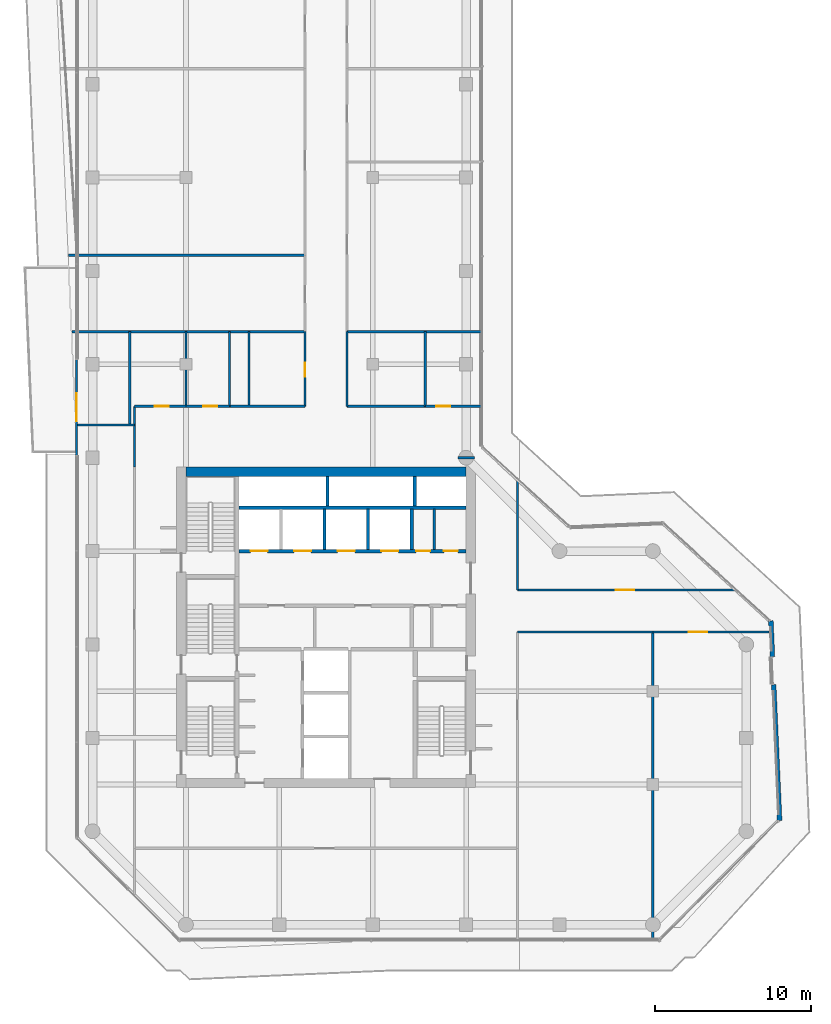
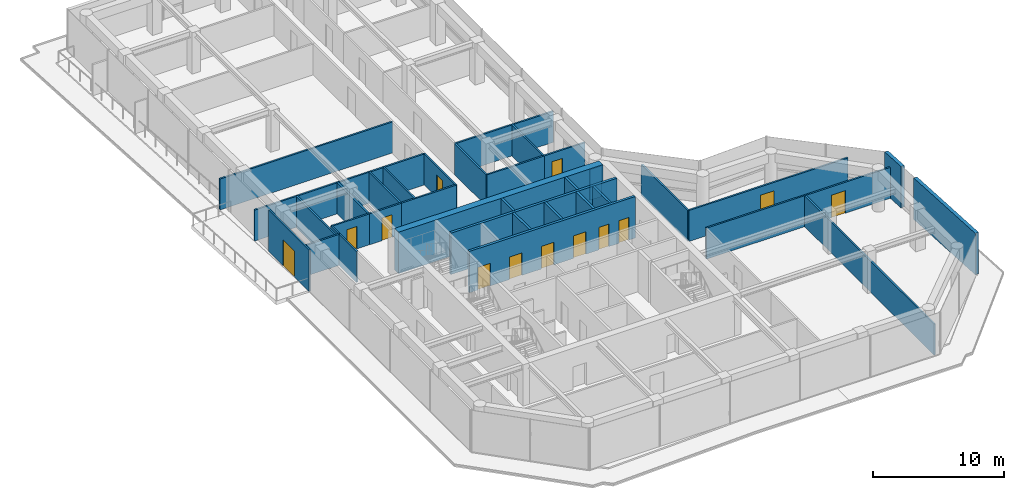
# One storey, part 18 of 21: 35 walls, 13 doors, 13 openings.
"""IFC4 building model written with IfcOpenShell, lengths in metres."""

from ifc_helpers import new_model, si_unit, direction, frame, frame_2d, origin, place, context, subcontext, project, spatial, rectangle, extrude, material, layer, layer_set, type_object, element, fill, save


model = new_model("IFC4")

# Units and contexts
model_context = context("Model", 3, precision=1e-05, world=origin(), true_north=direction((0.0, 1.0)))
body_context = subcontext(model_context, "Body", "Model", "MODEL_VIEW")
ifc_project = project(units=[si_unit("LENGTHUNIT", "METRE"), si_unit("AREAUNIT", "SQUARE_METRE"), si_unit("VOLUMEUNIT", "CUBIC_METRE"), si_unit("PLANEANGLEUNIT", "RADIAN"), si_unit("MASSUNIT", "GRAM", prefix="KILO")], contexts=[model_context])

# Site, building, storey
site_placement = place(None, origin())
site = spatial("IfcSite", under=ifc_project, at=site_placement, CompositionType="ELEMENT")
building_placement = place(site_placement, origin())
building = spatial("IfcBuilding", under=site, at=building_placement, Name="Welwitschia Terrace Campus", CompositionType="ELEMENT")
storey_placement = place(building_placement, frame((0.0, 0.0, 180.199951171875)))
storey = spatial("IfcBuildingStorey", under=building, at=storey_placement, Name="L40", CompositionType="ELEMENT", Elevation=180.199951171875)

# Wall, opening, door
ifc_material_1 = material(Name="Concrete C40/50", Category="concrete")
ifc_layer_1 = layer(ifc_material_1, 0.139892578125)
ifc_layer_set_1 = layer_set([ifc_layer_1], Name="Concrete C40/50")
wall_type_1 = type_object("IfcWallType", Name="Clad wall 140", PredefinedType="SOLIDWALL", material=ifc_layer_set_1)
wall_1_placement = place(storey_placement, frame((-1.030029296875, 32.3017578125, 0.0), z_axis=(0.0, 0.0, 1.0), x_axis=(0.0, -1.0, 0.0)))
wall_1 = element("IfcWall", 1, at=wall_1_placement, inside=storey, type_object=wall_type_1, Name="Clad wall L40.terrace door 0", PredefinedType="SOLIDWALL", context=body_context, shape_type="SweptSolid", body=[
    extrude(rectangle(XDim=6.145751953125, YDim=0.139892578125, at=frame_2d((3.07275390625, 0.0))), origin(), (0.0, 0.0, 1.0), 3.85009765625),
])
opening_1_placement = place(wall_1_placement, frame((2.1728515625, 0.0, 0.0)))
opening_1 = element("IfcOpeningElement", 2, at=opening_1_placement, cuts=wall_1, Name="Opening DE3", PredefinedType="OPENING", context=body_context, shape_type="SweptSolid", body=[
    extrude(rectangle(XDim=1.800048828125, YDim=2.39990234375, at=frame_2d((0.89990234375, 1.199951171875))), frame((0.0, 0.079833984375, 0.0), z_axis=(0.0, -1.0, 0.0), x_axis=(1.0, 0.0, 0.0)), (0.0, 0.0, 1.0), 0.159912109375),
])
ifc_material_2 = material(Name="Bronze anodised aluminium and glass", Category="aluminium")
door_type_1 = type_object("IfcDoorType", Name="Terrace door 1800x2400", OperationType="DOUBLE_DOOR_DOUBLE_SWING", PredefinedType="DOOR", material=ifc_material_2)
door_1_placement = place(opening_1_placement, origin())
door_1 = element("IfcDoor", 3, at=door_1_placement, inside=storey, type_object=door_type_1, Name="Door L40:T0", OperationType="DOUBLE_DOOR_DOUBLE_SWING", OverallHeight=2.39990234375, OverallWidth=1.800048828125, PredefinedType="DOOR", context=body_context, shape_type="SweptSolid", body=[
    extrude(rectangle(XDim=1.800048828125, YDim=2.39990234375, at=frame_2d((0.89990234375, 1.199951171875))), frame((0.0, 0.02490234375, 0.0), z_axis=(0.0, -1.0, 0.0), x_axis=(1.0, 0.0, 0.0)), (0.0, 0.0, 1.0), 0.050048828125),
])
fill(opening_1, door_1)

# Wall
ifc_material_3 = material(Name="Concrete C32/40", Category="concrete")
ifc_layer_2 = layer(ifc_material_3, 0.175048828125)
ifc_layer_set_2 = layer_set([ifc_layer_2], Name="Concrete C32/40")
wall_type_2 = type_object("IfcWallType", Name="Core partition 175 Concrete C32/40", PredefinedType="PARTITIONING", material=ifc_layer_set_2)
wall_2_placement = place(storey_placement, frame((21.9599609375, 20.10009765625, 0.0), z_axis=(0.0, 0.0, 1.0), x_axis=(0.0, 1.0, 0.0)))
element("IfcWall", 4, at=wall_2_placement, inside=storey, type_object=wall_type_2, Name="Core partition", PredefinedType="PARTITIONING", context=body_context, shape_type="SweptSolid", body=[
    extrude(rectangle(XDim=2.599853515625, YDim=0.175048828125, at=frame_2d((1.2998046875, 0.0))), origin(), (0.0, 0.0, 1.0), 3.85009765625),
])

# Wall, openings, doors
ifc_material_4 = material(Name="Concrete C32/40", Category="concrete")
ifc_layer_3 = layer(ifc_material_4, 0.22509765625)
ifc_layer_set_3 = layer_set([ifc_layer_3], Name="Concrete C32/40")
wall_type_3 = type_object("IfcWallType", Name="Core partition 225 Concrete C32/40", PredefinedType="PARTITIONING", material=ifc_layer_set_3)
wall_3_placement = place(storey_placement, frame((24.0, 20.0, 0.0), z_axis=(0.0, 0.0, 1.0), x_axis=(-1.0, 0.0, 0.0)))
wall_3 = element("IfcWall", 5, at=wall_3_placement, inside=storey, type_object=wall_type_3, Name="Shaft wall", PredefinedType="PARTITIONING", context=body_context, shape_type="SweptSolid", body=[
    extrude(rectangle(XDim=14.60009765625, YDim=0.22509765625, at=frame_2d((7.300048828125, 0.0))), origin(), (0.0, 0.0, 1.0), 3.85009765625),
])
opening_2_placement = place(wall_3_placement, frame((12.75, 0.0, 0.0)))
opening_2 = element("IfcOpeningElement", 6, at=opening_2_placement, cuts=wall_3, Name="Opening LD", PredefinedType="OPENING", context=body_context, shape_type="SweptSolid", body=[
    extrude(rectangle(XDim=1.10009765625, YDim=2.10009765625, at=frame_2d((0.550048828125, 1.050048828125))), frame((0.0, 0.12255859375, 0.0), z_axis=(0.0, -1.0, 0.0), x_axis=(1.0, 0.0, 0.0)), (0.0, 0.0, 1.0), 0.2451171875),
])
opening_3_placement = place(wall_3_placement, frame((9.949951171875, 0.0, 0.0)))
opening_3 = element("IfcOpeningElement", 7, at=opening_3_placement, cuts=wall_3, Name="Opening LD", PredefinedType="OPENING", context=body_context, shape_type="SweptSolid", body=[
    extrude(rectangle(XDim=1.10009765625, YDim=2.10009765625, at=frame_2d((0.550048828125, 1.050048828125))), frame((0.0, 0.12255859375, 0.0), z_axis=(0.0, -1.0, 0.0), x_axis=(1.0, 0.0, 0.0)), (0.0, 0.0, 1.0), 0.2451171875),
])
opening_4_placement = place(wall_3_placement, frame((7.14990234375, 0.0, 0.0)))
opening_4 = element("IfcOpeningElement", 8, at=opening_4_placement, cuts=wall_3, Name="Opening LD", PredefinedType="OPENING", context=body_context, shape_type="SweptSolid", body=[
    extrude(rectangle(XDim=1.10009765625, YDim=2.10009765625, at=frame_2d((0.550048828125, 1.050048828125))), frame((0.0, 0.12255859375, 0.0), z_axis=(0.0, -1.0, 0.0), x_axis=(1.0, 0.0, 0.0)), (0.0, 0.0, 1.0), 0.2451171875),
])
opening_5_placement = place(wall_3_placement, frame((4.35009765625, 0.0, 0.0)))
opening_5 = element("IfcOpeningElement", 9, at=opening_5_placement, cuts=wall_3, Name="Opening LD", PredefinedType="OPENING", context=body_context, shape_type="SweptSolid", body=[
    extrude(rectangle(XDim=1.10009765625, YDim=2.10009765625, at=frame_2d((0.550048828125, 1.050048828125))), frame((0.0, 0.12255859375, 0.0), z_axis=(0.0, -1.0, 0.0), x_axis=(1.0, 0.0, 0.0)), (0.0, 0.0, 1.0), 0.2451171875),
])
opening_6_placement = place(wall_3_placement, frame((2.3076171875, 0.0, 0.0)))
opening_6 = element("IfcOpeningElement", 10, at=opening_6_placement, cuts=wall_3, Name="Opening DR09", PredefinedType="OPENING", context=body_context, shape_type="SweptSolid", body=[
    extrude(rectangle(XDim=0.89990234375, YDim=2.10009765625, at=frame_2d((0.449951171875, 1.050048828125))), frame((0.0, 0.12255859375, 0.0), z_axis=(0.0, -1.0, 0.0), x_axis=(1.0, 0.0, 0.0)), (0.0, 0.0, 1.0), 0.2451171875),
])
opening_7_placement = place(wall_3_placement, frame((0.532470703125, 0.0, 0.0)))
opening_7 = element("IfcOpeningElement", 11, at=opening_7_placement, cuts=wall_3, Name="Opening DR09", PredefinedType="OPENING", context=body_context, shape_type="SweptSolid", body=[
    extrude(rectangle(XDim=0.89990234375, YDim=2.10009765625, at=frame_2d((0.449951171875, 1.050048828125))), frame((0.0, 0.12255859375, 0.0), z_axis=(0.0, -1.0, 0.0), x_axis=(1.0, 0.0, 0.0)), (0.0, 0.0, 1.0), 0.2451171875),
])
ifc_material_5 = material(Name="Steel S275", Category="steel")
door_type_2 = type_object("IfcDoorType", Name="Core door DR09", OperationType="SINGLE_SWING_LEFT", PredefinedType="DOOR", material=ifc_material_5)
door_2_placement = place(opening_6_placement, origin())
door_2 = element("IfcDoor", 12, at=door_2_placement, inside=storey, type_object=door_type_2, Name="Door EH1-D", OperationType="SINGLE_SWING_LEFT", OverallHeight=2.10009765625, OverallWidth=0.89990234375, PredefinedType="DOOR", context=body_context, shape_type="SweptSolid", body=[
    extrude(rectangle(XDim=0.89990234375, YDim=2.10009765625, at=frame_2d((0.449951171875, 1.050048828125))), frame((0.0, 0.02490234375, 0.0), z_axis=(0.0, -1.0, 0.0), x_axis=(1.0, 0.0, 0.0)), (0.0, 0.0, 1.0), 0.050048828125),
])
fill(opening_6, door_2)
door_3_placement = place(opening_7_placement, origin())
door_3 = element("IfcDoor", 13, at=door_3_placement, inside=storey, type_object=door_type_2, Name="Door EH2-D", OperationType="SINGLE_SWING_LEFT", OverallHeight=2.10009765625, OverallWidth=0.89990234375, PredefinedType="DOOR", context=body_context, shape_type="SweptSolid", body=[
    extrude(rectangle(XDim=0.89990234375, YDim=2.10009765625, at=frame_2d((0.449951171875, 1.050048828125))), frame((0.0, 0.02490234375, 0.0), z_axis=(0.0, -1.0, 0.0), x_axis=(1.0, 0.0, 0.0)), (0.0, 0.0, 1.0), 0.050048828125),
])
fill(opening_7, door_3)
ifc_material_6 = material(Name="Stainless steel 304", Category="steel")
door_type_3 = type_object("IfcDoorType", Name="Lift landing door", OperationType="DOUBLE_DOOR_SLIDING", PredefinedType="DOOR", material=ifc_material_6)
door_4_placement = place(opening_2_placement, origin())
door_4 = element("IfcDoor", 14, at=door_4_placement, inside=storey, type_object=door_type_3, Name="Landing door HR1", OperationType="DOUBLE_DOOR_SLIDING", OverallHeight=2.10009765625, OverallWidth=1.10009765625, PredefinedType="DOOR", context=body_context, shape_type="SweptSolid", body=[
    extrude(rectangle(XDim=1.10009765625, YDim=2.10009765625, at=frame_2d((0.550048828125, 1.050048828125))), frame((0.0, 0.02490234375, 0.0), z_axis=(0.0, -1.0, 0.0), x_axis=(1.0, 0.0, 0.0)), (0.0, 0.0, 1.0), 0.050048828125),
])
fill(opening_2, door_4)
door_5_placement = place(opening_3_placement, origin())
door_5 = element("IfcDoor", 15, at=door_5_placement, inside=storey, type_object=door_type_3, Name="Landing door HR2", OperationType="DOUBLE_DOOR_SLIDING", OverallHeight=2.10009765625, OverallWidth=1.10009765625, PredefinedType="DOOR", context=body_context, shape_type="SweptSolid", body=[
    extrude(rectangle(XDim=1.10009765625, YDim=2.10009765625, at=frame_2d((0.550048828125, 1.050048828125))), frame((0.0, 0.02490234375, 0.0), z_axis=(0.0, -1.0, 0.0), x_axis=(1.0, 0.0, 0.0)), (0.0, 0.0, 1.0), 0.050048828125),
])
fill(opening_3, door_5)
door_6_placement = place(opening_4_placement, origin())
door_6 = element("IfcDoor", 16, at=door_6_placement, inside=storey, type_object=door_type_3, Name="Landing door HR3", OperationType="DOUBLE_DOOR_SLIDING", OverallHeight=2.10009765625, OverallWidth=1.10009765625, PredefinedType="DOOR", context=body_context, shape_type="SweptSolid", body=[
    extrude(rectangle(XDim=1.10009765625, YDim=2.10009765625, at=frame_2d((0.550048828125, 1.050048828125))), frame((0.0, 0.02490234375, 0.0), z_axis=(0.0, -1.0, 0.0), x_axis=(1.0, 0.0, 0.0)), (0.0, 0.0, 1.0), 0.050048828125),
])
fill(opening_4, door_6)
door_7_placement = place(opening_5_placement, origin())
door_7 = element("IfcDoor", 17, at=door_7_placement, inside=storey, type_object=door_type_3, Name="Landing door HR4", OperationType="DOUBLE_DOOR_SLIDING", OverallHeight=2.10009765625, OverallWidth=1.10009765625, PredefinedType="DOOR", context=body_context, shape_type="SweptSolid", body=[
    extrude(rectangle(XDim=1.10009765625, YDim=2.10009765625, at=frame_2d((0.550048828125, 1.050048828125))), frame((0.0, 0.02490234375, 0.0), z_axis=(0.0, -1.0, 0.0), x_axis=(1.0, 0.0, 0.0)), (0.0, 0.0, 1.0), 0.050048828125),
])
fill(opening_5, door_7)

# Walls
wall_4_placement = place(storey_placement, frame((9.39990234375, 22.800048828125, 0.0), z_axis=(0.0, 0.0, 1.0), x_axis=(1.0, 0.0, 0.0)))
element("IfcWall", 18, at=wall_4_placement, inside=storey, type_object=wall_type_3, Name="Shaft wall", PredefinedType="PARTITIONING", context=body_context, shape_type="SweptSolid", body=[
    extrude(rectangle(XDim=14.60009765625, YDim=0.22509765625, at=frame_2d((7.300048828125, 0.0))), origin(), (0.0, 0.0, 1.0), 3.85009765625),
])
wall_5_placement = place(storey_placement, frame((20.5, 20.10009765625, 0.0), z_axis=(0.0, 0.0, 1.0), x_axis=(0.0, 1.0, 0.0)))
element("IfcWall", 19, at=wall_5_placement, inside=storey, type_object=wall_type_3, Name="Shaft wall", PredefinedType="PARTITIONING", context=body_context, shape_type="SweptSolid", body=[
    extrude(rectangle(XDim=2.599853515625, YDim=0.22509765625, at=frame_2d((1.2998046875, 0.0))), origin(), (0.0, 0.0, 1.0), 3.85009765625),
])
ifc_material_7 = material(Name="Concrete C50/60", Category="concrete")
ifc_layer_4 = layer(ifc_material_7, 0.199951171875)
ifc_layer_set_4 = layer_set([ifc_layer_4], Name="Concrete C50/60")
wall_type_4 = type_object("IfcWallType", Name="Core wall 200 Concrete C50/60", PredefinedType="SHEAR", material=ifc_layer_set_4)
for number, where, z_axis, x_axis, name in (
    (20, (15.10009765625, 22.89990234375, 0.0), (0.0, 0.0, 1.0), (0.0, 1.0, 0.0), "Core wall"),
    (21, (20.699951171875, 22.89990234375, 0.0), (0.0, 0.0, 1.0), (0.0, 1.0, 0.0), "Core wall"),
):
    element("IfcWall", number, at=place(storey_placement, frame(where, z_axis=z_axis, x_axis=x_axis)), inside=storey, type_object=wall_type_4, Name=name, PredefinedType="SHEAR", context=body_context, shape_type="SweptSolid", body=[
        extrude(rectangle(XDim=1.900146484375, YDim=0.199951171875, at=frame_2d((0.9501953125, 0.0))), origin(), (0.0, 0.0, 1.0), 3.85009765625),
    ])
ifc_material_8 = material(Name="Concrete C60/75", Category="concrete")
ifc_layer_5 = layer(ifc_material_8, 0.60009765625)
ifc_layer_set_5 = layer_set([ifc_layer_5], Name="Concrete C60/75")
wall_type_5 = type_object("IfcWallType", Name="Core wall 600 Concrete C60/75", PredefinedType="SHEAR", material=ifc_layer_set_5)
wall_6_placement = place(storey_placement, frame((6.0, 25.10009765625, 0.0), z_axis=(0.0, 0.0, 1.0), x_axis=(1.0, 0.0, 0.0)))
element("IfcWall", 22, at=wall_6_placement, inside=storey, type_object=wall_type_5, Name="Core outer wall", PredefinedType="SHEAR", context=body_context, shape_type="SweptSolid", body=[
    extrude(rectangle(XDim=18.0, YDim=0.60009765625, at=frame_2d((9.0, 0.0))), origin(), (0.0, 0.0, 1.0), 3.85009765625),
])
ifc_material_9 = material(Name="Gypsum board on steel studs", Category="steel")
ifc_layer_6 = layer(ifc_material_9, 0.14990234375)
ifc_layer_set_6 = layer_set([ifc_layer_6], Name="Gypsum board on steel studs")
wall_type_6 = type_object("IfcWallType", Name="Corridor partition 150 EI 30", PredefinedType="PARTITIONING", material=ifc_layer_set_6)
wall_7_placement = place(storey_placement, frame((-1.550048828125, 39.0, 0.0), z_axis=(0.0, 0.0, 1.0), x_axis=(1.0, 0.0, 0.0)))
element("IfcWall", 23, at=wall_7_placement, inside=storey, type_object=wall_type_6, Name="Partition", PredefinedType="PARTITIONING", context=body_context, shape_type="SweptSolid", body=[
    extrude(rectangle(XDim=15.199951171875, YDim=0.14990234375, at=frame_2d((7.60009765625, 0.0))), origin(), (0.0, 0.0, 1.0), 2.880126953125),
])
wall_8_placement = place(storey_placement, frame((-1.330078125, 34.10009765625, 0.0), z_axis=(0.0, 0.0, 1.0), x_axis=(1.0, 0.0, 0.0)))
element("IfcWall", 24, at=wall_8_placement, inside=storey, type_object=wall_type_6, Name="Partition", PredefinedType="PARTITIONING", context=body_context, shape_type="SweptSolid", body=[
    extrude(rectangle(XDim=14.97998046875, YDim=0.14990234375, at=frame_2d((7.489990234375, 0.0))), origin(), (0.0, 0.0, 1.0), 2.880126953125),
])
wall_9_placement = place(storey_placement, frame((-0.969970703125, 28.10009765625, 0.0), z_axis=(0.0, 0.0, 1.0), x_axis=(1.0, 0.0, 0.0)))
element("IfcWall", 25, at=wall_9_placement, inside=storey, type_object=wall_type_6, Name="Partition", PredefinedType="PARTITIONING", context=body_context, shape_type="SweptSolid", body=[
    extrude(rectangle(XDim=3.669921875, YDim=0.14990234375, at=frame_2d((1.8349609375, 0.0))), origin(), (0.0, 0.0, 1.0), 2.880126953125),
])
wall_10_placement = place(storey_placement, frame((2.39990234375, 28.10009765625, 0.0), z_axis=(0.0, 0.0, 1.0), x_axis=(0.0, 1.0, 0.0)))
element("IfcWall", 26, at=wall_10_placement, inside=storey, type_object=wall_type_6, Name="Partition", PredefinedType="PARTITIONING", context=body_context, shape_type="SweptSolid", body=[
    extrude(rectangle(XDim=6.0, YDim=0.14990234375, at=frame_2d((3.0, 0.0))), origin(), (0.0, 0.0, 1.0), 2.880126953125),
])
wall_11_placement = place(storey_placement, frame((2.699951171875, 25.39990234375, 0.0), z_axis=(0.0, 0.0, 1.0), x_axis=(0.0, 1.0, 0.0)))
element("IfcWall", 27, at=wall_11_placement, inside=storey, type_object=wall_type_6, Name="Partition", PredefinedType="PARTITIONING", context=body_context, shape_type="SweptSolid", body=[
    extrude(rectangle(XDim=3.900146484375, YDim=0.14990234375, at=frame_2d((1.9501953125, 0.0))), origin(), (0.0, 0.0, 1.0), 2.880126953125),
])

# Wall, opening, door
wall_12_placement = place(storey_placement, frame((2.699951171875, 29.300048828125, 0.0), z_axis=(0.0, 0.0, 1.0), x_axis=(1.0, 0.0, 0.0)))
wall_12 = element("IfcWall", 28, at=wall_12_placement, inside=storey, type_object=wall_type_6, Name="Partition", PredefinedType="PARTITIONING", context=body_context, shape_type="SweptSolid", body=[
    extrude(rectangle(XDim=3.300048828125, YDim=0.14990234375, at=frame_2d((1.64990234375, 0.0))), origin(), (0.0, 0.0, 1.0), 2.880126953125),
])
opening_8_placement = place(wall_12_placement, frame((1.300048828125, 0.0, 0.0)))
opening_8 = element("IfcOpeningElement", 29, at=opening_8_placement, cuts=wall_12, Name="Opening DI09", PredefinedType="OPENING", context=body_context, shape_type="SweptSolid", body=[
    extrude(rectangle(XDim=0.89990234375, YDim=2.10009765625, at=frame_2d((0.449951171875, 1.050048828125))), frame((0.0, 0.0849609375, 0.0), z_axis=(0.0, -1.0, 0.0), x_axis=(1.0, 0.0, 0.0)), (0.0, 0.0, 1.0), 0.169921875),
])
ifc_material_10 = material(Name="Timber veneered door", Category="wood")
door_type_4 = type_object("IfcDoorType", Name="Interior door DI09", OperationType="NOTDEFINED", PredefinedType="DOOR", material=ifc_material_10)
door_8_placement = place(opening_8_placement, origin())
door_8 = element("IfcDoor", 30, at=door_8_placement, inside=storey, type_object=door_type_4, Name="Door L40 793", OperationType="SINGLE_SWING_RIGHT", OverallHeight=2.10009765625, OverallWidth=0.89990234375, PredefinedType="DOOR", context=body_context, shape_type="SweptSolid", body=[
    extrude(rectangle(XDim=0.89990234375, YDim=2.10009765625, at=frame_2d((0.449951171875, 1.050048828125))), frame((0.0, 0.02490234375, 0.0), z_axis=(0.0, -1.0, 0.0), x_axis=(1.0, 0.0, 0.0)), (0.0, 0.0, 1.0), 0.050048828125),
])
fill(opening_8, door_8)

# Wall
wall_13_placement = place(storey_placement, frame((6.0, 29.300048828125, 0.0), z_axis=(0.0, 0.0, 1.0), x_axis=(0.0, 1.0, 0.0)))
element("IfcWall", 31, at=wall_13_placement, inside=storey, type_object=wall_type_6, Name="Partition", PredefinedType="PARTITIONING", context=body_context, shape_type="SweptSolid", body=[
    extrude(rectangle(XDim=4.800048828125, YDim=0.14990234375, at=frame_2d((2.39990234375, 0.0))), origin(), (0.0, 0.0, 1.0), 2.880126953125),
])

# Wall, opening, door
wall_14_placement = place(storey_placement, frame((6.0, 29.300048828125, 0.0), z_axis=(0.0, 0.0, 1.0), x_axis=(1.0, 0.0, 0.0)))
wall_14 = element("IfcWall", 32, at=wall_14_placement, inside=storey, type_object=wall_type_6, Name="Partition", PredefinedType="PARTITIONING", context=body_context, shape_type="SweptSolid", body=[
    extrude(rectangle(XDim=2.800048828125, YDim=0.14990234375, at=frame_2d((1.39990234375, 0.0))), origin(), (0.0, 0.0, 1.0), 2.880126953125),
])
opening_9_placement = place(wall_14_placement, frame((1.10009765625, 0.0, 0.0)))
opening_9 = element("IfcOpeningElement", 33, at=opening_9_placement, cuts=wall_14, Name="Opening DI09", PredefinedType="OPENING", context=body_context, shape_type="SweptSolid", body=[
    extrude(rectangle(XDim=0.89990234375, YDim=2.10009765625, at=frame_2d((0.449951171875, 1.050048828125))), frame((0.0, 0.0849609375, 0.0), z_axis=(0.0, -1.0, 0.0), x_axis=(1.0, 0.0, 0.0)), (0.0, 0.0, 1.0), 0.169921875),
])
door_9_placement = place(opening_9_placement, origin())
door_9 = element("IfcDoor", 34, at=door_9_placement, inside=storey, type_object=door_type_4, Name="Door L40 794", OperationType="SINGLE_SWING_LEFT", OverallHeight=2.10009765625, OverallWidth=0.89990234375, PredefinedType="DOOR", context=body_context, shape_type="SweptSolid", body=[
    extrude(rectangle(XDim=0.89990234375, YDim=2.10009765625, at=frame_2d((0.449951171875, 1.050048828125))), frame((0.0, 0.02490234375, 0.0), z_axis=(0.0, -1.0, 0.0), x_axis=(1.0, 0.0, 0.0)), (0.0, 0.0, 1.0), 0.050048828125),
])
fill(opening_9, door_9)

# Walls
wall_15_placement = place(storey_placement, frame((8.800048828125, 29.300048828125, 0.0), z_axis=(0.0, 0.0, 1.0), x_axis=(0.0, 1.0, 0.0)))
element("IfcWall", 35, at=wall_15_placement, inside=storey, type_object=wall_type_6, Name="Partition", PredefinedType="PARTITIONING", context=body_context, shape_type="SweptSolid", body=[
    extrude(rectangle(XDim=4.800048828125, YDim=0.14990234375, at=frame_2d((2.39990234375, 0.0))), origin(), (0.0, 0.0, 1.0), 2.880126953125),
])
wall_16_placement = place(storey_placement, frame((8.800048828125, 29.300048828125, 0.0), z_axis=(0.0, 0.0, 1.0), x_axis=(1.0, 0.0, 0.0)))
element("IfcWall", 36, at=wall_16_placement, inside=storey, type_object=wall_type_6, Name="Partition", PredefinedType="PARTITIONING", context=body_context, shape_type="SweptSolid", body=[
    extrude(rectangle(XDim=4.849853515625, YDim=0.14990234375, at=frame_2d((2.4248046875, 0.0))), origin(), (0.0, 0.0, 1.0), 2.880126953125),
])
wall_17_placement = place(storey_placement, frame((10.050048828125, 29.300048828125, 0.0), z_axis=(0.0, 0.0, 1.0), x_axis=(0.0, 1.0, 0.0)))
element("IfcWall", 37, at=wall_17_placement, inside=storey, type_object=wall_type_6, Name="Partition", PredefinedType="PARTITIONING", context=body_context, shape_type="SweptSolid", body=[
    extrude(rectangle(XDim=4.800048828125, YDim=0.14990234375, at=frame_2d((2.39990234375, 0.0))), origin(), (0.0, 0.0, 1.0), 2.880126953125),
])

# Wall, opening, door
wall_18_placement = place(storey_placement, frame((13.64990234375, 29.300048828125, 0.0), z_axis=(0.0, 0.0, 1.0), x_axis=(0.0, 1.0, 0.0)))
wall_18 = element("IfcWall", 38, at=wall_18_placement, inside=storey, type_object=wall_type_6, Name="Partition", PredefinedType="PARTITIONING", context=body_context, shape_type="SweptSolid", body=[
    extrude(rectangle(XDim=4.800048828125, YDim=0.14990234375, at=frame_2d((2.39990234375, 0.0))), origin(), (0.0, 0.0, 1.0), 2.880126953125),
])
opening_10_placement = place(wall_18_placement, frame((1.89990234375, 0.0, 0.0)))
opening_10 = element("IfcOpeningElement", 39, at=opening_10_placement, cuts=wall_18, Name="Opening DI09", PredefinedType="OPENING", context=body_context, shape_type="SweptSolid", body=[
    extrude(rectangle(XDim=0.89990234375, YDim=2.10009765625, at=frame_2d((0.449951171875, 1.050048828125))), frame((0.0, 0.0849609375, 0.0), z_axis=(0.0, -1.0, 0.0), x_axis=(1.0, 0.0, 0.0)), (0.0, 0.0, 1.0), 0.169921875),
])
door_10_placement = place(opening_10_placement, origin())
door_10 = element("IfcDoor", 40, at=door_10_placement, inside=storey, type_object=door_type_4, Name="Door L40 795", OperationType="SINGLE_SWING_RIGHT", OverallHeight=2.10009765625, OverallWidth=0.89990234375, PredefinedType="DOOR", context=body_context, shape_type="SweptSolid", body=[
    extrude(rectangle(XDim=0.89990234375, YDim=2.10009765625, at=frame_2d((0.449951171875, 1.050048828125))), frame((0.0, 0.02490234375, 0.0), z_axis=(0.0, -1.0, 0.0), x_axis=(1.0, 0.0, 0.0)), (0.0, 0.0, 1.0), 0.050048828125),
])
fill(opening_10, door_10)

# Walls
wall_19_placement = place(storey_placement, frame((16.35009765625, 29.300048828125, 0.0), z_axis=(0.0, 0.0, 1.0), x_axis=(0.0, 1.0, 0.0)))
element("IfcWall", 41, at=wall_19_placement, inside=storey, type_object=wall_type_6, Name="Partition", PredefinedType="PARTITIONING", context=body_context, shape_type="SweptSolid", body=[
    extrude(rectangle(XDim=4.800048828125, YDim=0.14990234375, at=frame_2d((2.39990234375, 0.0))), origin(), (0.0, 0.0, 1.0), 2.880126953125),
])
wall_20_placement = place(storey_placement, frame((16.35009765625, 29.300048828125, 0.0), z_axis=(0.0, 0.0, 1.0), x_axis=(1.0, 0.0, 0.0)))
element("IfcWall", 42, at=wall_20_placement, inside=storey, type_object=wall_type_6, Name="Partition", PredefinedType="PARTITIONING", context=body_context, shape_type="SweptSolid", body=[
    extrude(rectangle(XDim=5.02978515625, YDim=0.14990234375, at=frame_2d((2.514892578125, 0.0))), origin(), (0.0, 0.0, 1.0), 2.880126953125),
])
wall_21_placement = place(storey_placement, frame((16.35009765625, 34.10009765625, 0.0), z_axis=(0.0, 0.0, 1.0), x_axis=(1.0, 0.0, 0.0)))
element("IfcWall", 43, at=wall_21_placement, inside=storey, type_object=wall_type_6, Name="Partition", PredefinedType="PARTITIONING", context=body_context, shape_type="SweptSolid", body=[
    extrude(rectangle(XDim=8.6298828125, YDim=0.14990234375, at=frame_2d((4.31494140625, 0.0))), origin(), (0.0, 0.0, 1.0), 2.880126953125),
])
wall_22_placement = place(storey_placement, frame((21.3798828125, 29.300048828125, 0.0), z_axis=(0.0, 0.0, 1.0), x_axis=(0.0, 1.0, 0.0)))
element("IfcWall", 44, at=wall_22_placement, inside=storey, type_object=wall_type_6, Name="Partition", PredefinedType="PARTITIONING", context=body_context, shape_type="SweptSolid", body=[
    extrude(rectangle(XDim=4.800048828125, YDim=0.14990234375, at=frame_2d((2.39990234375, 0.0))), origin(), (0.0, 0.0, 1.0), 2.880126953125),
])

# Wall, opening, door
wall_23_placement = place(storey_placement, frame((21.3798828125, 29.300048828125, 0.0), z_axis=(0.0, 0.0, 1.0), x_axis=(1.0, 0.0, 0.0)))
wall_23 = element("IfcWall", 45, at=wall_23_placement, inside=storey, type_object=wall_type_6, Name="Partition", PredefinedType="PARTITIONING", context=body_context, shape_type="SweptSolid", body=[
    extrude(rectangle(XDim=3.60009765625, YDim=0.14990234375, at=frame_2d((1.800048828125, 0.0))), origin(), (0.0, 0.0, 1.0), 2.880126953125),
])
opening_11_placement = place(wall_23_placement, frame((0.699951171875, 0.0, 0.0)))
opening_11 = element("IfcOpeningElement", 46, at=opening_11_placement, cuts=wall_23, Name="Opening DI09", PredefinedType="OPENING", context=body_context, shape_type="SweptSolid", body=[
    extrude(rectangle(XDim=0.89990234375, YDim=2.10009765625, at=frame_2d((0.449951171875, 1.050048828125))), frame((0.0, 0.0849609375, 0.0), z_axis=(0.0, -1.0, 0.0), x_axis=(1.0, 0.0, 0.0)), (0.0, 0.0, 1.0), 0.169921875),
])
door_11_placement = place(opening_11_placement, origin())
door_11 = element("IfcDoor", 47, at=door_11_placement, inside=storey, type_object=door_type_4, Name="Door L40 804", OperationType="SINGLE_SWING_LEFT", OverallHeight=2.10009765625, OverallWidth=0.89990234375, PredefinedType="DOOR", context=body_context, shape_type="SweptSolid", body=[
    extrude(rectangle(XDim=0.89990234375, YDim=2.10009765625, at=frame_2d((0.449951171875, 1.050048828125))), frame((0.0, 0.02490234375, 0.0), z_axis=(0.0, -1.0, 0.0), x_axis=(1.0, 0.0, 0.0)), (0.0, 0.0, 1.0), 0.050048828125),
])
fill(opening_11, door_11)

# Walls
wall_24_placement = place(storey_placement, frame((23.47998046875, 26.0, 0.0), z_axis=(0.0, 0.0, 1.0), x_axis=(1.0, 0.0, 0.0)))
element("IfcWall", 48, at=wall_24_placement, inside=storey, type_object=wall_type_6, Name="Partition", PredefinedType="PARTITIONING", context=body_context, shape_type="SweptSolid", body=[
    extrude(rectangle(XDim=1.050048828125, YDim=0.14990234375, at=frame_2d((0.52490234375, 0.0))), origin(), (0.0, 0.0, 1.0), 2.880126953125),
])
wall_25_placement = place(storey_placement, frame((27.300048828125, 14.800048828125, 0.0), z_axis=(0.0, 0.0, 1.0), x_axis=(1.0, 0.0, 0.0)))
element("IfcWall", 49, at=wall_25_placement, inside=storey, type_object=wall_type_6, Name="Partition", PredefinedType="PARTITIONING", context=body_context, shape_type="SweptSolid", body=[
    extrude(rectangle(XDim=8.699951171875, YDim=0.14990234375, at=frame_2d((4.35009765625, 0.0))), origin(), (0.0, 0.0, 1.0), 2.880126953125),
])
wall_26_placement = place(storey_placement, frame((27.300048828125, 17.5, 0.0), z_axis=(0.0, 0.0, 1.0), x_axis=(0.0, 1.0, 0.0)))
element("IfcWall", 50, at=wall_26_placement, inside=storey, type_object=wall_type_6, Name="Partition", PredefinedType="PARTITIONING", context=body_context, shape_type="SweptSolid", body=[
    extrude(rectangle(XDim=7.070068359375, YDim=0.14990234375, at=frame_2d((3.53515625, 0.0))), origin(), (0.0, 0.0, 1.0), 2.880126953125),
])
wall_27_placement = place(storey_placement, frame((36.0, -4.97998046875, 0.0), z_axis=(0.0, 0.0, 1.0), x_axis=(0.0, 1.0, 0.0)))
element("IfcWall", 51, at=wall_27_placement, inside=storey, type_object=wall_type_6, Name="Partition", PredefinedType="PARTITIONING", context=body_context, shape_type="SweptSolid", body=[
    extrude(rectangle(XDim=19.780029296875, YDim=0.14990234375, at=frame_2d((9.89013671875, 0.0))), origin(), (0.0, 0.0, 1.0), 2.880126953125),
])

# Wall, opening, door
wall_28_placement = place(storey_placement, frame((36.0, 14.800048828125, 0.0), z_axis=(0.0, 0.0, 1.0), x_axis=(1.0, 0.0, 0.0)))
wall_28 = element("IfcWall", 52, at=wall_28_placement, inside=storey, type_object=wall_type_6, Name="Partition", PredefinedType="PARTITIONING", context=body_context, shape_type="SweptSolid", body=[
    extrude(rectangle(XDim=7.622314453125, YDim=0.14990234375, at=frame_2d((3.81103515625, 0.0))), origin(), (0.0, 0.0, 1.0), 2.880126953125),
])
opening_12_placement = place(wall_28_placement, frame((2.300048828125, 0.0, 0.0)))
opening_12 = element("IfcOpeningElement", 53, at=opening_12_placement, cuts=wall_28, Name="Opening DI12", PredefinedType="OPENING", context=body_context, shape_type="SweptSolid", body=[
    extrude(rectangle(XDim=1.199951171875, YDim=2.10009765625, at=frame_2d((0.60009765625, 1.050048828125))), frame((0.0, 0.0849609375, 0.0), z_axis=(0.0, -1.0, 0.0), x_axis=(1.0, 0.0, 0.0)), (0.0, 0.0, 1.0), 0.169921875),
])
ifc_material_11 = material(Name="Timber veneered door", Category="wood")
door_type_5 = type_object("IfcDoorType", Name="Interior door DI12", OperationType="NOTDEFINED", PredefinedType="DOOR", material=ifc_material_11)
door_12_placement = place(opening_12_placement, origin())
door_12 = element("IfcDoor", 54, at=door_12_placement, inside=storey, type_object=door_type_5, Name="Door L40 807", OperationType="SINGLE_SWING_RIGHT", OverallHeight=2.10009765625, OverallWidth=1.199951171875, PredefinedType="DOOR", context=body_context, shape_type="SweptSolid", body=[
    extrude(rectangle(XDim=1.199951171875, YDim=2.10009765625, at=frame_2d((0.60009765625, 1.050048828125))), frame((0.0, 0.02490234375, 0.0), z_axis=(0.0, -1.0, 0.0), x_axis=(1.0, 0.0, 0.0)), (0.0, 0.0, 1.0), 0.050048828125),
])
fill(opening_12, door_12)

wall_29_placement = place(storey_placement, frame((41.300048828125, 17.5, 0.0), z_axis=(0.0, 0.0, 1.0), x_axis=(-1.0, 0.0, 0.0)))
wall_29 = element("IfcWall", 55, at=wall_29_placement, inside=storey, type_object=wall_type_6, Name="Partition", PredefinedType="PARTITIONING", context=body_context, shape_type="SweptSolid", body=[
    extrude(rectangle(XDim=14.0, YDim=0.14990234375, at=frame_2d((7.0, 0.0))), origin(), (0.0, 0.0, 1.0), 2.880126953125),
])
opening_13_placement = place(wall_29_placement, frame((6.5, 0.0, 0.0)))
opening_13 = element("IfcOpeningElement", 56, at=opening_13_placement, cuts=wall_29, Name="Opening DI12", PredefinedType="OPENING", context=body_context, shape_type="SweptSolid", body=[
    extrude(rectangle(XDim=1.199951171875, YDim=2.10009765625, at=frame_2d((0.60009765625, 1.050048828125))), frame((0.0, 0.0849609375, 0.0), z_axis=(0.0, -1.0, 0.0), x_axis=(1.0, 0.0, 0.0)), (0.0, 0.0, 1.0), 0.169921875),
])
door_13_placement = place(opening_13_placement, origin())
door_13 = element("IfcDoor", 57, at=door_13_placement, inside=storey, type_object=door_type_5, Name="Door L40 808", OperationType="SINGLE_SWING_LEFT", OverallHeight=2.10009765625, OverallWidth=1.199951171875, PredefinedType="DOOR", context=body_context, shape_type="SweptSolid", body=[
    extrude(rectangle(XDim=1.199951171875, YDim=2.10009765625, at=frame_2d((0.60009765625, 1.050048828125))), frame((0.0, 0.02490234375, 0.0), z_axis=(0.0, -1.0, 0.0), x_axis=(1.0, 0.0, 0.0)), (0.0, 0.0, 1.0), 0.050048828125),
])
fill(opening_13, door_13)

# Walls
ifc_material_12 = material(Name="Concrete C40/50", Category="concrete")
ifc_layer_7 = layer(ifc_material_12, 0.300048828125)
ifc_layer_set_7 = layer_set([ifc_layer_7], Name="Concrete C40/50")
wall_type_7 = type_object("IfcWallType", Name="Mass wall 300", PredefinedType="SOLIDWALL", material=ifc_layer_set_7)
wall_30_placement = place(storey_placement, frame((44.14111328125, 2.681640625, 0.0), z_axis=(0.0, 0.0, 1.0), x_axis=(-0.043632390192, 0.999047653781, 0.0)))
element("IfcWall", 58, at=wall_30_placement, inside=storey, type_object=wall_type_7, Name="Mass wall L40.3.0", PredefinedType="SOLIDWALL", context=body_context, shape_type="SweptSolid", body=[
    extrude(rectangle(XDim=8.739990234375, YDim=0.300048828125, at=frame_2d((4.3701171875, 0.0))), origin(), (0.0, 0.0, 1.0), 3.85009765625),
])
wall_31_placement = place(storey_placement, frame((43.681396484375, 13.211669921875, 0.0), z_axis=(0.0, 0.0, 1.0), x_axis=(-0.043693705814, 0.999044973999, 0.0)))
element("IfcWall", 59, at=wall_31_placement, inside=storey, type_object=wall_type_7, Name="Mass wall L40.3.1", PredefinedType="SOLIDWALL", context=body_context, shape_type="SweptSolid", body=[
    extrude(rectangle(XDim=2.313232421875, YDim=0.300048828125, at=frame_2d((1.15673828125, 0.0))), origin(), (0.0, 0.0, 1.0), 3.85009765625),
])
ifc_material_13 = material(Name="Concrete C32/40", Category="concrete")
ifc_layer_8 = layer(ifc_material_13, 0.199951171875)
ifc_layer_set_8 = layer_set([ifc_layer_8], Name="Concrete C32/40")
wall_type_8 = type_object("IfcWallType", Name="Shaft wall 200 Concrete C32/40", PredefinedType="SOLIDWALL", material=ifc_layer_set_8)
for number, where, z_axis, x_axis, name in (
    (60, (14.89990234375, 20.10009765625, 0.0), (0.0, 0.0, 1.0), (0.0, 1.0, 0.0), "Shaft wall"),
    (61, (17.699951171875, 20.10009765625, 0.0), (0.0, 0.0, 1.0), (0.0, 1.0, 0.0), "Shaft wall"),
):
    element("IfcWall", number, at=place(storey_placement, frame(where, z_axis=z_axis, x_axis=x_axis)), inside=storey, type_object=wall_type_8, Name=name, PredefinedType="SOLIDWALL", context=body_context, shape_type="SweptSolid", body=[
        extrude(rectangle(XDim=2.599853515625, YDim=0.199951171875, at=frame_2d((1.2998046875, 0.0))), origin(), (0.0, 0.0, 1.0), 3.85009765625),
    ])

save(model, "model.ifc")
